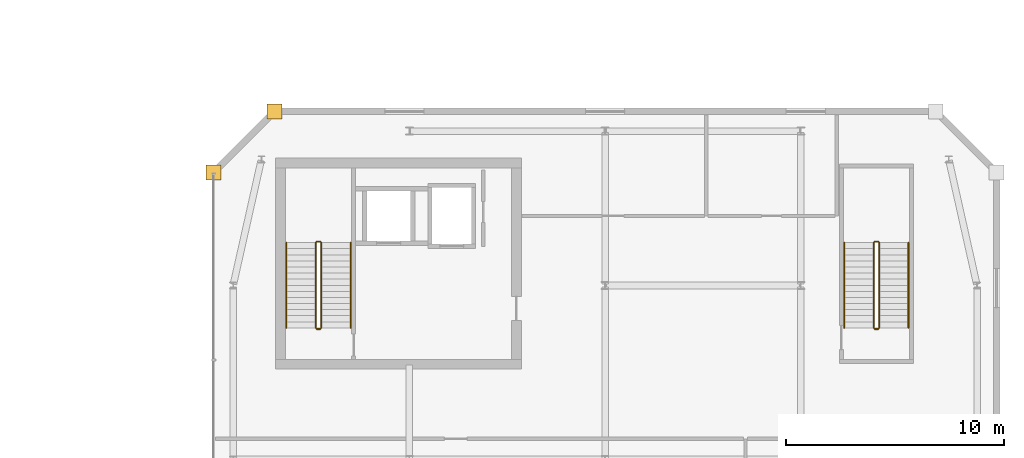
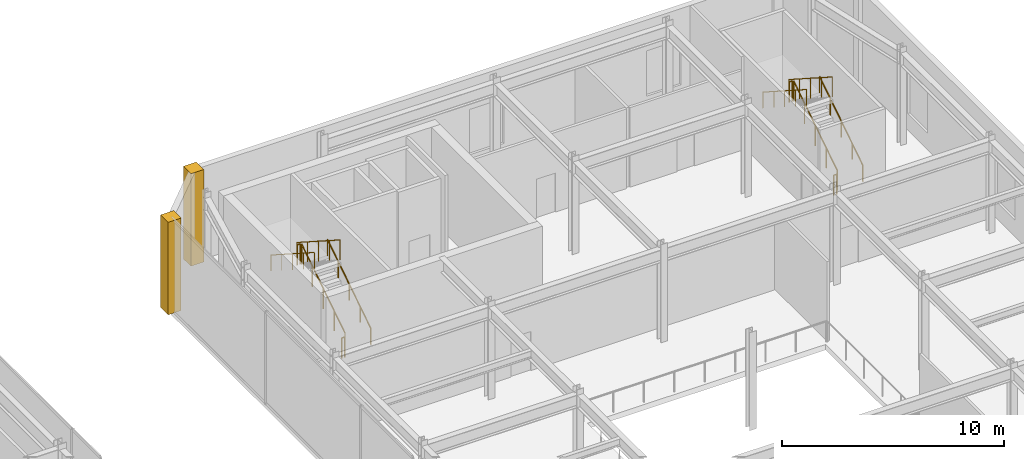
# One storey, part 51 of 52: 12 railings, 2 coverings.
"""IFC4 building model written with IfcOpenShell, lengths in metres."""

from ifc_helpers import new_model, si_unit, direction, frame, origin, origin_2d, place, context, subcontext, project, spatial, polyline, circle, outline, extrude, material, layer, layer_set, type_object, element, save


model = new_model("IFC4")

# Units and contexts
model_context = context("Model", 3, precision=1e-05, world=origin(), true_north=direction((0.0, 1.0)))
body_context = subcontext(model_context, "Body", "Model", "MODEL_VIEW")
ifc_project = project(units=[si_unit("LENGTHUNIT", "METRE"), si_unit("AREAUNIT", "SQUARE_METRE"), si_unit("VOLUMEUNIT", "CUBIC_METRE"), si_unit("PLANEANGLEUNIT", "RADIAN"), si_unit("MASSUNIT", "GRAM", prefix="KILO")], contexts=[model_context])

# Site, building, storey
site_placement = place(None, origin())
site = spatial("IfcSite", under=ifc_project, at=site_placement, CompositionType="ELEMENT")
building_placement = place(site_placement, origin())
building = spatial("IfcBuilding", under=site, at=building_placement, Name="Saevonmaru Cultural Tower", CompositionType="ELEMENT")
storey_placement = place(building_placement, frame((0.0, 0.0, 16.800048828125)))
storey = spatial("IfcBuildingStorey", under=building, at=storey_placement, Name="L03", CompositionType="ELEMENT", Elevation=16.800048828125)

# Coverings
ifc_material_1 = material(Name="Satin Bronze Anodised Aluminium", Category="aluminium")
ifc_layer = layer(ifc_material_1, 0.679931640625, Name="Satin Bronze Anodised Aluminium")
ifc_layer_set = layer_set([ifc_layer], Name="Satin Bronze Anodised Aluminium")
covering_type = type_object("IfcCoveringType", Name="CV-CORNER-CLAD", PredefinedType="CLADDING", material=ifc_layer_set)
covering_1_placement = place(storey_placement, origin())
element("IfcCovering", 1, at=covering_1_placement, inside=storey, type_object=covering_type, Name="L03 Library Bronze Corner Cladding Pier 7", PredefinedType="CLADDING", context=body_context, shape_type="SweptSolid", body=[
    extrude(outline(polyline([(74.659912109375, 47.659912109375), (75.340087890625, 47.659912109375), (75.340087890625, 48.340087890625), (74.659912109375, 48.340087890625), (74.659912109375, 47.659912109375)])), origin(), (0.0, 0.0, 1.0), 5.099853515625),
])
covering_2_placement = place(storey_placement, origin())
element("IfcCovering", 2, at=covering_2_placement, inside=storey, type_object=covering_type, Name="L03 Library Bronze Corner Cladding Pier 8", PredefinedType="CLADDING", context=body_context, shape_type="SweptSolid", body=[
    extrude(outline(polyline([(71.860107421875, 44.860107421875), (72.5400390625, 44.860107421875), (72.5400390625, 45.5400390625), (71.860107421875, 45.5400390625), (71.860107421875, 44.860107421875)])), origin(), (0.0, 0.0, 1.0), 5.099853515625),
])

# Railings
ifc_material_2 = material(Name="Architectural Painted Steel", Category="steel")
railing_type_1 = type_object("IfcRailingType", Name="RL-STAIR-GUARD", PredefinedType="GUARDRAIL", material=ifc_material_2)
railing_1_placement = place(storey_placement, frame((77.14990234375, 38.050048828125, 0.179931640625)))
element("IfcRailing", 3, at=railing_1_placement, inside=storey, type_object=railing_type_1, Name="L03 LST-1 stair guard 1", PredefinedType="GUARDRAIL", context=body_context, shape_type="SweptSolid", body=[
    extrude(circle(Radius=0.02392578125, at=origin_2d()), frame((0.0, 0.0, 1.09619140625), z_axis=(0.0, 0.841171666519, 0.540768182723), x_axis=(-1.0, 0.0, 0.0)), (0.0, 0.0, 1.0), 4.66015625),
    extrude(circle(Radius=0.02099609375, at=origin_2d()), origin(), (0.0, 0.0, 1.0), 1.072021484375),
    extrude(circle(Radius=0.02099609375, at=origin_2d()), frame((0.0, 0.97998046875, 0.6298828125)), (0.0, 0.0, 1.0), 1.072021484375),
    extrude(circle(Radius=0.02099609375, at=origin_2d()), frame((0.0, 1.9599609375, 1.260009765625)), (0.0, 0.0, 1.0), 1.072021484375),
    extrude(circle(Radius=0.02099609375, at=origin_2d()), frame((0.0, 2.93994140625, 1.89013671875)), (0.0, 0.0, 1.0), 1.072021484375),
    extrude(circle(Radius=0.02099609375, at=origin_2d()), frame((0.0, 3.919921875, 2.52001953125)), (0.0, 0.0, 1.0), 1.072021484375),
])
railing_2_placement = place(storey_placement, frame((77.10009765625, 42.02001953125, 2.699951171875)))
element("IfcRailing", 4, at=railing_2_placement, inside=storey, type_object=railing_type_1, Name="L03 LST-1 stair guard 2", PredefinedType="GUARDRAIL", context=body_context, shape_type="SweptSolid", body=[
    extrude(circle(Radius=0.02392578125, at=origin_2d()), frame((0.0, 0.0, 1.09619140625), z_axis=(-1.0, 0.0, 0.0), x_axis=(0.0, -1.0, 0.0)), (0.0, 0.0, 1.0), 0.150146484375),
    extrude(circle(Radius=0.02099609375, at=origin_2d()), origin(), (0.0, 0.0, 1.0), 1.072021484375),
    extrude(circle(Radius=0.02099609375, at=origin_2d()), frame((-0.150146484375, 0.0, 0.0)), (0.0, 0.0, 1.0), 1.072021484375),
])
railing_3_placement = place(storey_placement, frame((76.89990234375, 41.969970703125, 2.8798828125)))
element("IfcRailing", 5, at=railing_3_placement, inside=storey, type_object=railing_type_1, Name="L03 LST-1 stair guard 3", PredefinedType="GUARDRAIL", context=body_context, shape_type="SweptSolid", body=[
    extrude(circle(Radius=0.02392578125, at=origin_2d()), frame((0.0, 0.0, 1.09619140625), z_axis=(0.0, -0.841171666519, 0.540768182723), x_axis=(1.0, 0.0, 0.0)), (0.0, 0.0, 1.0), 4.66015625),
    extrude(circle(Radius=0.02099609375, at=origin_2d()), origin(), (0.0, 0.0, 1.0), 1.072021484375),
    extrude(circle(Radius=0.02099609375, at=origin_2d()), frame((0.0, -0.97998046875, 0.6298828125)), (0.0, 0.0, 1.0), 1.072021484375),
    extrude(circle(Radius=0.02099609375, at=origin_2d()), frame((0.0, -1.9599609375, 1.260009765625)), (0.0, 0.0, 1.0), 1.072021484375),
    extrude(circle(Radius=0.02099609375, at=origin_2d()), frame((0.0, -2.93994140625, 1.89013671875)), (0.0, 0.0, 1.0), 1.072021484375),
    extrude(circle(Radius=0.02099609375, at=origin_2d()), frame((0.0, -3.919921875, 2.52001953125)), (0.0, 0.0, 1.0), 1.072021484375),
])
railing_4_placement = place(storey_placement, frame((77.10009765625, 38.0, 0.0)))
element("IfcRailing", 6, at=railing_4_placement, inside=storey, type_object=railing_type_1, Name="L03 LST-1 stair guard 4", PredefinedType="GUARDRAIL", context=body_context, shape_type="SweptSolid", body=[
    extrude(circle(Radius=0.02392578125, at=origin_2d()), frame((0.0, 0.0, 1.09619140625), z_axis=(-1.0, 0.0, 0.0), x_axis=(0.0, -1.0, 0.0)), (0.0, 0.0, 1.0), 0.150146484375),
    extrude(circle(Radius=0.02099609375, at=origin_2d()), origin(), (0.0, 0.0, 1.0), 1.072021484375),
    extrude(circle(Radius=0.02099609375, at=origin_2d()), frame((-0.150146484375, 0.0, 0.0)), (0.0, 0.0, 1.0), 1.072021484375),
])
railing_5_placement = place(storey_placement, frame((102.800048828125, 38.050048828125, 0.179931640625)))
element("IfcRailing", 7, at=railing_5_placement, inside=storey, type_object=railing_type_1, Name="L03 LST-2 stair guard 1", PredefinedType="GUARDRAIL", context=body_context, shape_type="SweptSolid", body=[
    extrude(circle(Radius=0.02392578125, at=origin_2d()), frame((0.0, 0.0, 1.09619140625), z_axis=(0.0, 0.841171666519, 0.540768182723), x_axis=(-1.0, 0.0, 0.0)), (0.0, 0.0, 1.0), 4.66015625),
    extrude(circle(Radius=0.02099609375, at=origin_2d()), origin(), (0.0, 0.0, 1.0), 1.072021484375),
    extrude(circle(Radius=0.02099609375, at=origin_2d()), frame((0.0, 0.97998046875, 0.6298828125)), (0.0, 0.0, 1.0), 1.072021484375),
    extrude(circle(Radius=0.02099609375, at=origin_2d()), frame((0.0, 1.9599609375, 1.260009765625)), (0.0, 0.0, 1.0), 1.072021484375),
    extrude(circle(Radius=0.02099609375, at=origin_2d()), frame((0.0, 2.93994140625, 1.89013671875)), (0.0, 0.0, 1.0), 1.072021484375),
    extrude(circle(Radius=0.02099609375, at=origin_2d()), frame((0.0, 3.919921875, 2.52001953125)), (0.0, 0.0, 1.0), 1.072021484375),
])
railing_6_placement = place(storey_placement, frame((102.75, 42.02001953125, 2.699951171875)))
element("IfcRailing", 8, at=railing_6_placement, inside=storey, type_object=railing_type_1, Name="L03 LST-2 stair guard 2", PredefinedType="GUARDRAIL", context=body_context, shape_type="SweptSolid", body=[
    extrude(circle(Radius=0.02392578125, at=origin_2d()), frame((0.0, 0.0, 1.09619140625), z_axis=(-1.0, 0.0, 0.0), x_axis=(0.0, -1.0, 0.0)), (0.0, 0.0, 1.0), 0.14990234375),
    extrude(circle(Radius=0.02099609375, at=origin_2d()), origin(), (0.0, 0.0, 1.0), 1.072021484375),
    extrude(circle(Radius=0.02099609375, at=origin_2d()), frame((-0.14990234375, 0.0, 0.0)), (0.0, 0.0, 1.0), 1.072021484375),
])
railing_7_placement = place(storey_placement, frame((102.550048828125, 41.969970703125, 2.8798828125)))
element("IfcRailing", 9, at=railing_7_placement, inside=storey, type_object=railing_type_1, Name="L03 LST-2 stair guard 3", PredefinedType="GUARDRAIL", context=body_context, shape_type="SweptSolid", body=[
    extrude(circle(Radius=0.02392578125, at=origin_2d()), frame((0.0, 0.0, 1.09619140625), z_axis=(0.0, -0.841171666519, 0.540768182723), x_axis=(1.0, 0.0, 0.0)), (0.0, 0.0, 1.0), 4.66015625),
    extrude(circle(Radius=0.02099609375, at=origin_2d()), origin(), (0.0, 0.0, 1.0), 1.072021484375),
    extrude(circle(Radius=0.02099609375, at=origin_2d()), frame((0.0, -0.97998046875, 0.6298828125)), (0.0, 0.0, 1.0), 1.072021484375),
    extrude(circle(Radius=0.02099609375, at=origin_2d()), frame((0.0, -1.9599609375, 1.260009765625)), (0.0, 0.0, 1.0), 1.072021484375),
    extrude(circle(Radius=0.02099609375, at=origin_2d()), frame((0.0, -2.93994140625, 1.89013671875)), (0.0, 0.0, 1.0), 1.072021484375),
    extrude(circle(Radius=0.02099609375, at=origin_2d()), frame((0.0, -3.919921875, 2.52001953125)), (0.0, 0.0, 1.0), 1.072021484375),
])
railing_8_placement = place(storey_placement, frame((102.75, 38.0, 0.0)))
element("IfcRailing", 10, at=railing_8_placement, inside=storey, type_object=railing_type_1, Name="L03 LST-2 stair guard 4", PredefinedType="GUARDRAIL", context=body_context, shape_type="SweptSolid", body=[
    extrude(circle(Radius=0.02392578125, at=origin_2d()), frame((0.0, 0.0, 1.09619140625), z_axis=(-1.0, 0.0, 0.0), x_axis=(0.0, -1.0, 0.0)), (0.0, 0.0, 1.0), 0.14990234375),
    extrude(circle(Radius=0.02099609375, at=origin_2d()), origin(), (0.0, 0.0, 1.0), 1.072021484375),
    extrude(circle(Radius=0.02099609375, at=origin_2d()), frame((-0.14990234375, 0.0, 0.0)), (0.0, 0.0, 1.0), 1.072021484375),
])
railing_type_2 = type_object("IfcRailingType", Name="RL-STAIR-HANDRAIL", PredefinedType="HANDRAIL", material=ifc_material_1)
railing_9_placement = place(storey_placement, frame((78.5, 38.050048828125, 0.179931640625)))
element("IfcRailing", 11, at=railing_9_placement, inside=storey, type_object=railing_type_2, Name="L03 LST-1 stair handrail 1", PredefinedType="HANDRAIL", context=body_context, shape_type="SweptSolid", body=[
    extrude(circle(Radius=0.02392578125, at=origin_2d()), frame((0.0, 0.0, 0.8759765625), z_axis=(0.0, 0.841171666519, 0.540768182723), x_axis=(-1.0, 0.0, 0.0)), (0.0, 0.0, 1.0), 4.66015625),
    extrude(circle(Radius=0.02099609375, at=origin_2d()), origin(), (0.0, 0.0, 1.0), 0.851806640625),
    extrude(circle(Radius=0.02099609375, at=origin_2d()), frame((0.0, 0.97998046875, 0.6298828125)), (0.0, 0.0, 1.0), 0.851806640625),
    extrude(circle(Radius=0.02099609375, at=origin_2d()), frame((0.0, 1.9599609375, 1.260009765625)), (0.0, 0.0, 1.0), 0.851806640625),
    extrude(circle(Radius=0.02099609375, at=origin_2d()), frame((0.0, 2.93994140625, 1.89013671875)), (0.0, 0.0, 1.0), 0.851806640625),
    extrude(circle(Radius=0.02099609375, at=origin_2d()), frame((0.0, 3.919921875, 2.52001953125)), (0.0, 0.0, 1.0), 0.851806640625),
])
railing_10_placement = place(storey_placement, frame((75.550048828125, 41.969970703125, 2.8798828125)))
element("IfcRailing", 12, at=railing_10_placement, inside=storey, type_object=railing_type_2, Name="L03 LST-1 stair handrail 2", PredefinedType="HANDRAIL", context=body_context, shape_type="SweptSolid", body=[
    extrude(circle(Radius=0.02392578125, at=origin_2d()), frame((0.0, 0.0, 0.8759765625), z_axis=(0.0, -0.841171666519, 0.540768182723), x_axis=(1.0, 0.0, 0.0)), (0.0, 0.0, 1.0), 4.66015625),
    extrude(circle(Radius=0.02099609375, at=origin_2d()), origin(), (0.0, 0.0, 1.0), 0.851806640625),
    extrude(circle(Radius=0.02099609375, at=origin_2d()), frame((0.0, -0.97998046875, 0.6298828125)), (0.0, 0.0, 1.0), 0.851806640625),
    extrude(circle(Radius=0.02099609375, at=origin_2d()), frame((0.0, -1.9599609375, 1.260009765625)), (0.0, 0.0, 1.0), 0.851806640625),
    extrude(circle(Radius=0.02099609375, at=origin_2d()), frame((0.0, -2.93994140625, 1.89013671875)), (0.0, 0.0, 1.0), 0.851806640625),
    extrude(circle(Radius=0.02099609375, at=origin_2d()), frame((0.0, -3.919921875, 2.52001953125)), (0.0, 0.0, 1.0), 0.851806640625),
])
railing_11_placement = place(storey_placement, frame((104.14990234375, 38.050048828125, 0.179931640625)))
element("IfcRailing", 13, at=railing_11_placement, inside=storey, type_object=railing_type_2, Name="L03 LST-2 stair handrail 1", PredefinedType="HANDRAIL", context=body_context, shape_type="SweptSolid", body=[
    extrude(circle(Radius=0.02392578125, at=origin_2d()), frame((0.0, 0.0, 0.8759765625), z_axis=(0.0, 0.841171666519, 0.540768182723), x_axis=(-1.0, 0.0, 0.0)), (0.0, 0.0, 1.0), 4.66015625),
    extrude(circle(Radius=0.02099609375, at=origin_2d()), origin(), (0.0, 0.0, 1.0), 0.851806640625),
    extrude(circle(Radius=0.02099609375, at=origin_2d()), frame((0.0, 0.97998046875, 0.6298828125)), (0.0, 0.0, 1.0), 0.851806640625),
    extrude(circle(Radius=0.02099609375, at=origin_2d()), frame((0.0, 1.9599609375, 1.260009765625)), (0.0, 0.0, 1.0), 0.851806640625),
    extrude(circle(Radius=0.02099609375, at=origin_2d()), frame((0.0, 2.93994140625, 1.89013671875)), (0.0, 0.0, 1.0), 0.851806640625),
    extrude(circle(Radius=0.02099609375, at=origin_2d()), frame((0.0, 3.919921875, 2.52001953125)), (0.0, 0.0, 1.0), 0.851806640625),
])
railing_12_placement = place(storey_placement, frame((101.199951171875, 41.969970703125, 2.8798828125)))
element("IfcRailing", 14, at=railing_12_placement, inside=storey, type_object=railing_type_2, Name="L03 LST-2 stair handrail 2", PredefinedType="HANDRAIL", context=body_context, shape_type="SweptSolid", body=[
    extrude(circle(Radius=0.02392578125, at=origin_2d()), frame((0.0, 0.0, 0.8759765625), z_axis=(0.0, -0.841171666519, 0.540768182723), x_axis=(1.0, 0.0, 0.0)), (0.0, 0.0, 1.0), 4.66015625),
    extrude(circle(Radius=0.02099609375, at=origin_2d()), origin(), (0.0, 0.0, 1.0), 0.851806640625),
    extrude(circle(Radius=0.02099609375, at=origin_2d()), frame((0.0, -0.97998046875, 0.6298828125)), (0.0, 0.0, 1.0), 0.851806640625),
    extrude(circle(Radius=0.02099609375, at=origin_2d()), frame((0.0, -1.9599609375, 1.260009765625)), (0.0, 0.0, 1.0), 0.851806640625),
    extrude(circle(Radius=0.02099609375, at=origin_2d()), frame((0.0, -2.93994140625, 1.89013671875)), (0.0, 0.0, 1.0), 0.851806640625),
    extrude(circle(Radius=0.02099609375, at=origin_2d()), frame((0.0, -3.919921875, 2.52001953125)), (0.0, 0.0, 1.0), 0.851806640625),
])

save(model, "model.ifc")
